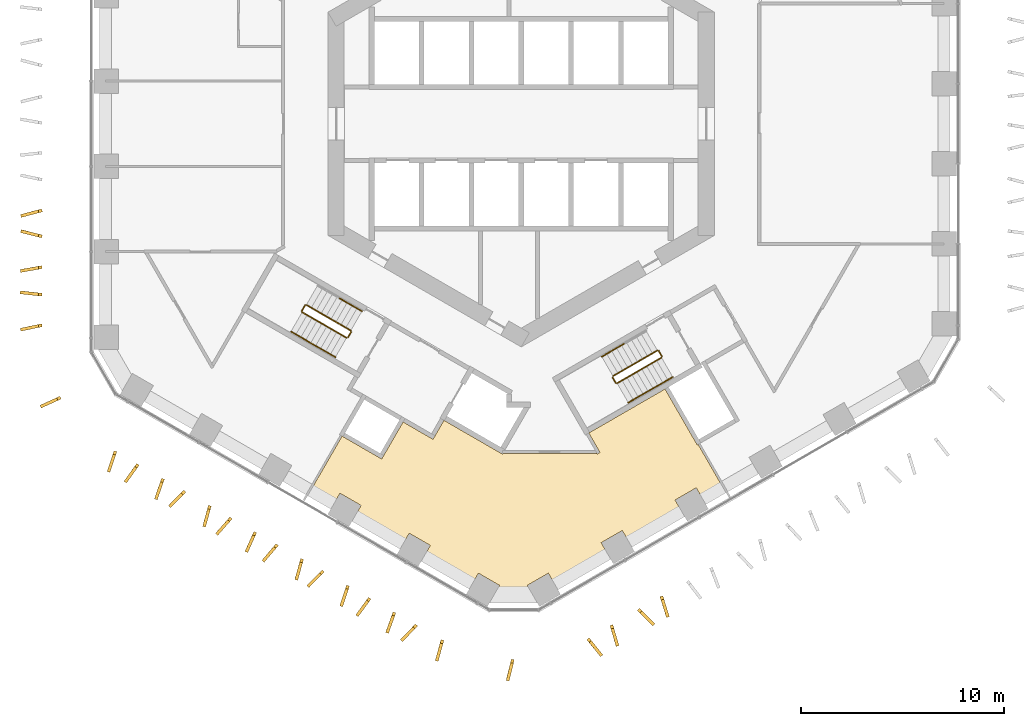
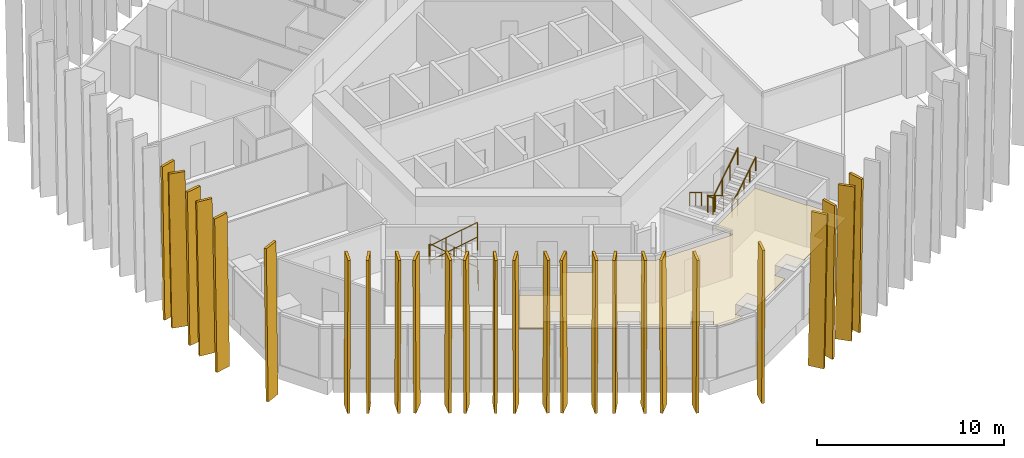
# One storey, part 17 of 19: 26 shading devices, 14 railings, 1 covering.
"""IFC4 building model written with IfcOpenShell, lengths in metres."""

from ifc_helpers import new_model, si_unit, direction, frame, origin, origin_2d, place, context, subcontext, project, spatial, polyline, circle, outline, extrude, material, layer, layer_set, type_object, element, save


model = new_model("IFC4")

# Units and contexts
model_context = context("Model", 3, precision=1e-05, world=origin(), true_north=direction((0.0, 1.0)))
body_context = subcontext(model_context, "Body", "Model", "MODEL_VIEW")
ifc_project = project(units=[si_unit("LENGTHUNIT", "METRE"), si_unit("AREAUNIT", "SQUARE_METRE"), si_unit("VOLUMEUNIT", "CUBIC_METRE"), si_unit("PLANEANGLEUNIT", "RADIAN"), si_unit("MASSUNIT", "GRAM", prefix="KILO")], contexts=[model_context])

# Site, building, storey
site_placement = place(None, origin())
site = spatial("IfcSite", under=ifc_project, at=site_placement, CompositionType="ELEMENT")
building_placement = place(site_placement, origin())
building = spatial("IfcBuilding", under=site, at=building_placement, Name="Ayvan Gate Tower", CompositionType="ELEMENT")
storey_placement = place(building_placement, frame((0.0, 0.0, 45.89990234375)))
storey = spatial("IfcBuildingStorey", under=building, at=storey_placement, Name="L11", CompositionType="ELEMENT", Elevation=45.89990234375)

# Shading devices
ifc_material_1 = material(Name="Bronze anodised aluminium", Category="aluminium")
ifc_layer_1 = layer(ifc_material_1, 0.14990234375)
ifc_layer_set_1 = layer_set([ifc_layer_1], Name="Bronze anodised aluminium")
shading_device_type = type_object("IfcShadingDeviceType", Name="Bronze fin 900 x 150", PredefinedType="USERDEFINED", material=ifc_layer_set_1)
shading_device_1_placement = place(storey_placement, frame((-23.574951171875, -4.183837890625, 0.0), z_axis=(-0.255501146153, 0.96680874253, 0.000140290366), x_axis=(-0.966808752045, -0.255501148667, -4.86e-09)))
element("IfcShadingDevice", 1, at=shading_device_1_placement, inside=storey, type_object=shading_device_type, Name="Bronze fin FG03.3.27", ObjectType="FIN", PredefinedType="USERDEFINED", context=body_context, shape_type="SweptSolid", body=[
    extrude(outline(polyline([(0.0, 0.0), (0.900233223408925, 0.0), (1.0753604628705822, 10.080078229421687), (0.1753632767546369, 10.080078220671773), (0.0, 0.0)])), origin(), (0.0, 0.0, -1.0), 0.14990234375),
])
shading_device_2_placement = place(storey_placement, frame((-23.538330078125, -5.46484375, 0.0), z_axis=(0.244418128609, 0.969669923099, 0.000136547127), x_axis=(-0.969669932138, 0.244418130888, -4.527e-09)))
element("IfcShadingDevice", 2, at=shading_device_2_placement, inside=storey, type_object=shading_device_type, Name="Bronze fin FG03.3.28", ObjectType="FIN", PredefinedType="USERDEFINED", context=body_context, shape_type="SweptSolid", body=[
    extrude(outline(polyline([(0.0, 0.0), (0.8998586604962392, -1.0164395367051604e-20), (1.0752445266961927, 10.080078223840218), (0.17514913037667781, 10.080078215691053), (0.0, 0.0)])), origin(), (0.0, 0.0, -1.0), 0.14990234375),
])
shading_device_3_placement = place(storey_placement, frame((-23.5732421875, -6.9736328125, 0.0), z_axis=(-0.175232000418, 0.984527160244, 0.000129502076), x_axis=(-0.9845271685, -0.175232001888, 3.078e-09)))
element("IfcShadingDevice", 3, at=shading_device_3_placement, inside=storey, type_object=shading_device_type, Name="Bronze fin FG03.3.29", ObjectType="FIN", PredefinedType="USERDEFINED", context=body_context, shape_type="SweptSolid", body=[
    extrude(outline(polyline([(0.0, 0.0), (0.8999142987562473, -3.3881317890172014e-21), (1.07521500683769, 10.080078206215681), (0.17506034500319578, 10.080078211756682), (0.0, 0.0)])), origin(), (0.0, 0.0, -1.0), 0.14990234375),
])
shading_device_4_placement = place(storey_placement, frame((-23.553955078125, -8.329345703125, 0.0), z_axis=(0.110952561472, 0.993825694257, 0.000136154603), x_axis=(-0.993825703469, 0.1109525625, 2.049e-09)))
element("IfcShadingDevice", 4, at=shading_device_4_placement, inside=storey, type_object=shading_device_type, Name="Bronze fin FG03.3.30", ObjectType="FIN", PredefinedType="USERDEFINED", context=body_context, shape_type="SweptSolid", body=[
    extrude(outline(polyline([(0.0, 0.0), (0.9000871522390452, 3.3881317890172014e-21), (1.0750891787986268, 10.080078216230008), (0.1752446597879675, 10.080078219917672), (0.0, 0.0)])), origin(), (0.0, 0.0, -1.0), 0.14990234375),
])
shading_device_5_placement = place(storey_placement, frame((-23.57421875, -9.828857421875, 0.0), z_axis=(-0.20617454048, 0.978515220411, 0.000149268336), x_axis=(-0.978515231313, -0.206174542777, 0.0)))
element("IfcShadingDevice", 5, at=shading_device_5_placement, inside=storey, type_object=shading_device_type, Name="Bronze fin FG03.3.31", ObjectType="FIN", PredefinedType="USERDEFINED", context=body_context, shape_type="SweptSolid", body=[
    extrude(outline(polyline([(0.0, 0.0), (0.8999504618786536, 0.0), (1.0751677608868988, 10.080078237297295), (0.17521729900824512, 10.080078237297295), (0.0, 0.0)])), origin(), (0.0, 0.0, -1.0), 0.14990234375),
])
shading_device_6_placement = place(storey_placement, frame((-22.67529296875, -13.390380859375, 0.0), z_axis=(-0.413700743643, 0.91041291519, 0.000136250636), x_axis=(-0.910412923641, -0.413700747483, 0.0)))
element("IfcShadingDevice", 6, at=shading_device_6_placement, inside=storey, type_object=shading_device_type, Name="Bronze fin FG03.4.32", ObjectType="FIN", PredefinedType="USERDEFINED", context=body_context, shape_type="SweptSolid", body=[
    extrude(outline(polyline([(0.0, 0.0), (0.8999607938598058, -6.776263578034403e-21), (1.0751601197948546, 10.080078218564477), (0.17519932593504892, 10.080078218564477), (0.0, 0.0)])), origin(), (0.0, 0.0, -1.0), 0.14990234375),
])
shading_device_7_placement = place(storey_placement, frame((-20.01904296875, -16.073974609375, 0.0), z_axis=(-0.947838977223, 0.318749512947, 0.000145782695), x_axis=(-0.318749516334, -0.947838987295, 0.0)))
element("IfcShadingDevice", 7, at=shading_device_7_placement, inside=storey, type_object=shading_device_type, Name="Bronze fin FG03.5.33", ObjectType="FIN", PredefinedType="USERDEFINED", context=body_context, shape_type="SweptSolid", body=[
    extrude(outline(polyline([(0.0, 0.0), (0.8999707283452081, 0.0), (1.0751434166942866, 10.080078232113909), (0.17517268834907843, 10.080078232113909), (0.0, 0.0)])), origin(), (0.0, 0.0, -1.0), 0.14990234375),
])
shading_device_8_placement = place(storey_placement, frame((-18.900634765625, -16.697998046875, 0.0), z_axis=(-0.812200130264, 0.58337888448, 0.000159820077), x_axis=(-0.583378891928, -0.812200140638, 1.7608e-08)))
element("IfcShadingDevice", 8, at=shading_device_8_placement, inside=storey, type_object=shading_device_type, Name="Bronze fin FG03.5.34", ObjectType="FIN", PredefinedType="USERDEFINED", context=body_context, shape_type="SweptSolid", body=[
    extrude(outline(polyline([(0.0, 0.0), (0.8999003512490823, -1.3552527156068805e-20), (1.0752619408027846, 10.080078234801771), (0.1752191630664151, 10.080078266495171), (0.0, 0.0)])), origin(), (0.0, 0.0, -1.0), 0.14990234375),
])
shading_device_9_placement = place(storey_placement, frame((-17.680419921875, -17.423828125, 0.0), z_axis=(-0.943942891356, 0.330108764017, 0.000147574183), x_axis=(-0.330108767612, -0.943942901634, 0.0)))
element("IfcShadingDevice", 9, at=shading_device_9_placement, inside=storey, type_object=shading_device_type, Name="Bronze fin FG03.5.35", ObjectType="FIN", PredefinedType="USERDEFINED", context=body_context, shape_type="SweptSolid", body=[
    extrude(outline(polyline([(0.0, 0.0), (0.9000643720388166, 0.0), (1.0751601619626519, 10.080078234762675), (0.1750957899238352, 10.080078234762675), (0.0, 0.0)])), origin(), (0.0, 0.0, -1.0), 0.14990234375),
])
shading_device_10_placement = place(storey_placement, frame((-16.59765625, -18.00732421875, 0.0), z_axis=(-0.714191134507, 0.699950711203, 0.000158991191), x_axis=(-0.699950720051, -0.714191143532, -1.5399e-08)))
element("IfcShadingDevice", 10, at=shading_device_10_placement, inside=storey, type_object=shading_device_type, Name="Bronze fin FG03.5.36", ObjectType="FIN", PredefinedType="USERDEFINED", context=body_context, shape_type="SweptSolid", body=[
    extrude(outline(polyline([(0.0, 0.0), (0.9001557835381796, 0.0), (1.0752318805343108, 10.08007826896013), (0.17524698340239367, 10.080078241240567), (0.0, 0.0)])), origin(), (0.0, 0.0, -1.0), 0.14990234375),
])
shading_device_11_placement = place(storey_placement, frame((-15.3798828125, -18.753662109375, 0.0), z_axis=(-0.964239184036, 0.265033530118, 0.000154542319), x_axis=(-0.265033533282, -0.964239195551, 5.555e-09)))
element("IfcShadingDevice", 11, at=shading_device_11_placement, inside=storey, type_object=shading_device_type, Name="Bronze fin FG03.5.37", ObjectType="FIN", PredefinedType="USERDEFINED", context=body_context, shape_type="SweptSolid", body=[
    extrude(outline(polyline([(0.0, 0.0), (0.9000996343258985, 6.776263578034403e-21), (1.075144595748423, 10.080078239400706), (0.17528037138237573, 10.08007824939913), (0.0, 0.0)])), origin(), (0.0, 0.0, -1.0), 0.14990234375),
])
shading_device_12_placement = place(storey_placement, frame((-14.32275390625, -19.32861328125, 0.0), z_axis=(-0.750700056269, 0.660643175083, 0.000143994528), x_axis=(-0.660643181929, -0.750700064054, 2.7563e-08)))
element("IfcShadingDevice", 12, at=shading_device_12_placement, inside=storey, type_object=shading_device_type, Name="Bronze fin FG03.5.38", ObjectType="FIN", PredefinedType="USERDEFINED", context=body_context, shape_type="SweptSolid", body=[
    extrude(outline(polyline([(0.0, 0.0), (0.9000497864498709, 0.0), (1.0751920882647426, 10.080078199867089), (0.1751642883583591, 10.080078249482133), (0.0, 0.0)])), origin(), (0.0, 0.0, -1.0), 0.14990234375),
])
shading_device_13_placement = place(storey_placement, frame((-13.141845703125, -20.0400390625, 0.0), z_axis=(-0.912058453703, 0.410060179006, 0.000163163702), x_axis=(-0.410060184465, -0.912058465843, 0.0)))
element("IfcShadingDevice", 13, at=shading_device_13_placement, inside=storey, type_object=shading_device_type, Name="Bronze fin FG03.5.39", ObjectType="FIN", PredefinedType="USERDEFINED", context=body_context, shape_type="SweptSolid", body=[
    extrude(outline(polyline([(0.0, 0.0), (0.9002108446148134, -6.776263578034403e-21), (1.075337735529121, 10.080078259177908), (0.1751268909143076, 10.080078259177908), (0.0, 0.0)])), origin(), (0.0, 0.0, -1.0), 0.14990234375),
])
shading_device_14_placement = place(storey_placement, frame((-12.052490234375, -20.6416015625, 0.0), z_axis=(-0.760843793437, 0.648935052202, 0.000141465375), x_axis=(-0.648935058697, -0.760843801049, -1.2454e-08)))
element("IfcShadingDevice", 14, at=shading_device_14_placement, inside=storey, type_object=shading_device_type, Name="Bronze fin FG03.5.40", ObjectType="FIN", PredefinedType="USERDEFINED", context=body_context, shape_type="SweptSolid", body=[
    extrude(outline(polyline([(0.0, 0.0), (0.8998190133162116, -1.3552527156068805e-20), (1.075019852778686, 10.080078239251762), (0.17501508658135917, 10.080078216836888), (0.0, 0.0)])), origin(), (0.0, 0.0, -1.0), 0.14990234375),
])
shading_device_15_placement = place(storey_placement, frame((-10.844482421875, -21.3720703125, 0.0), z_axis=(-0.962652032957, 0.270741645453, 0.000157673108), x_axis=(-0.270741648818, -0.962652044923, 5.79e-09)))
element("IfcShadingDevice", 15, at=shading_device_15_placement, inside=storey, type_object=shading_device_type, Name="Bronze fin FG03.5.41", ObjectType="FIN", PredefinedType="USERDEFINED", context=body_context, shape_type="SweptSolid", body=[
    extrude(outline(polyline([(0.0, 0.0), (0.9000615900765889, 0.0), (1.0751238176417501, 10.080078244074887), (0.17529725003706623, 10.080078254495566), (0.0, 0.0)])), origin(), (0.0, 0.0, -1.0), 0.14990234375),
])
shading_device_16_placement = place(storey_placement, frame((-9.79296875, -21.935302734375, 0.0), z_axis=(-0.710354055494, 0.703844510884, 0.000142624898), x_axis=(-0.703844518043, -0.710354062719, 0.0)))
element("IfcShadingDevice", 16, at=shading_device_16_placement, inside=storey, type_object=shading_device_type, Name="Bronze fin FG03.5.42", ObjectType="FIN", PredefinedType="USERDEFINED", context=body_context, shape_type="SweptSolid", body=[
    extrude(outline(polyline([(0.0, 0.0), (0.900120560200584, 1.3552527156068805e-20), (1.075352027919554, 10.080078227523776), (0.1752314677189702, 10.080078227523776), (0.0, 0.0)])), origin(), (0.0, 0.0, -1.0), 0.14990234375),
])
shading_device_17_placement = place(storey_placement, frame((-8.585205078125, -22.67529296875, 0.0), z_axis=(-0.949156934095, 0.314803264366, 0.000138575993), x_axis=(-0.314803267391, -0.949156943208, -1.7839e-08)))
element("IfcShadingDevice", 17, at=shading_device_17_placement, inside=storey, type_object=shading_device_type, Name="Bronze fin FG03.5.43", ObjectType="FIN", PredefinedType="USERDEFINED", context=body_context, shape_type="SweptSolid", body=[
    extrude(outline(polyline([(0.0, 0.0), (0.900045590265072, 0.0), (1.0752238555235294, 10.08007824096638), (0.17525512152491013, 10.080078208855845), (0.0, 0.0)])), origin(), (0.0, 0.0, -1.0), 0.14990234375),
])
shading_device_18_placement = place(storey_placement, frame((-7.505126953125, -23.276123046875, 0.0), z_axis=(-0.807232050637, 0.590234187563, 0.000142324698), x_axis=(-0.590234193541, -0.807232058813, 0.0)))
element("IfcShadingDevice", 18, at=shading_device_18_placement, inside=storey, type_object=shading_device_type, Name="Bronze fin FG03.5.44", ObjectType="FIN", PredefinedType="USERDEFINED", context=body_context, shape_type="SweptSolid", body=[
    extrude(outline(polyline([(0.0, 0.0), (0.9000664580497653, 0.0), (1.0753409740120434, 10.080078227092645), (0.17527451596227808, 10.080078227092645), (0.0, 0.0)])), origin(), (0.0, 0.0, -1.0), 0.14990234375),
])
shading_device_19_placement = place(storey_placement, frame((-6.303466796875, -23.991943359375, 0.0), z_axis=(-0.941046373379, 0.338277551918, 0.000144979465), x_axis=(-0.338277555473, -0.941046383269, 0.0)))
element("IfcShadingDevice", 19, at=shading_device_19_placement, inside=storey, type_object=shading_device_type, Name="Bronze fin FG03.5.45", ObjectType="FIN", PredefinedType="USERDEFINED", context=body_context, shape_type="SweptSolid", body=[
    extrude(outline(polyline([(0.0, 0.0), (0.899980960750526, -6.776263578034403e-21), (1.075093309900929, 10.080078230936811), (0.17511234915040286, 10.080078230936811), (0.0, 0.0)])), origin(), (0.0, 0.0, -1.0), 0.14990234375),
])
shading_device_20_placement = place(storey_placement, frame((-5.200439453125, -24.588134765625, 0.0), z_axis=(-0.716403385557, 0.697686295968, 0.000146905204), x_axis=(-0.697686303497, -0.716403393287, 0.0)))
element("IfcShadingDevice", 20, at=shading_device_20_placement, inside=storey, type_object=shading_device_type, Name="Bronze fin FG03.5.46", ObjectType="FIN", PredefinedType="USERDEFINED", context=body_context, shape_type="SweptSolid", body=[
    extrude(outline(polyline([(0.0, 0.0), (0.9000172202794061, 0.0), (1.0751025142874684, 10.080078233769784), (0.1750852940080625, 10.080078233769784), (0.0, 0.0)])), origin(), (0.0, 0.0, -1.0), 0.14990234375),
])
shading_device_21_placement = place(storey_placement, frame((-3.946044921875, -25.35498046875, 0.0), z_axis=(-0.964578911885, 0.263794429642, 0.000147091258), x_axis=(-0.263794432493, -0.964578922321, 1.9244e-08)))
element("IfcShadingDevice", 21, at=shading_device_21_placement, inside=storey, type_object=shading_device_type, Name="Bronze fin FG03.5.47", ObjectType="FIN", PredefinedType="USERDEFINED", context=body_context, shape_type="SweptSolid", body=[
    extrude(outline(polyline([(0.0, 0.0), (0.9000124111709517, -6.776263578034403e-21), (1.0752948189343543, 10.080078213352936), (0.17521800482578218, 10.080078247993121), (0.0, 0.0)])), origin(), (0.0, 0.0, -1.0), 0.14990234375),
])
shading_device_22_placement = place(storey_placement, frame((-0.485595703125, -26.31591796875, 0.0), z_axis=(-0.97058763231, 0.240748050217, 0.000155960528), x_axis=(-0.240748053148, -0.970587644113, -2.0531e-08)))
element("IfcShadingDevice", 22, at=shading_device_22_placement, inside=storey, type_object=shading_device_type, Name="Bronze fin FG03.6.48", ObjectType="FIN", PredefinedType="USERDEFINED", context=body_context, shape_type="SweptSolid", body=[
    extrude(outline(polyline([(0.0, 0.0), (0.9000358549396699, -6.776263578034403e-21), (1.0751905191852889, 10.080078269666542), (0.17521344062578206, 10.080078232711362), (0.0, 0.0)])), origin(), (0.0, 0.0, -1.0), 0.14990234375),
])
shading_device_23_placement = place(storey_placement, frame((3.2197265625, -25.360107421875, 0.0), z_axis=(-0.778534859409, -0.627601346341, 0.000150852899), x_axis=(0.62760135348, -0.778534868268, -1.2838e-08)))
element("IfcShadingDevice", 23, at=shading_device_23_placement, inside=storey, type_object=shading_device_type, Name="Bronze fin FG03.7.49", ObjectType="FIN", PredefinedType="USERDEFINED", context=body_context, shape_type="SweptSolid", body=[
    extrude(outline(polyline([(0.0, 0.0), (0.900254672546873, 1.3552527156068805e-20), (1.0752708841722158, 10.080078253497986), (0.17520628361466642, 10.080078230386293), (0.0, 0.0)])), origin(), (0.0, 0.0, -1.0), 0.14990234375),
])
shading_device_24_placement = place(storey_placement, frame((4.358154296875, -24.6650390625, 0.0), z_axis=(-0.958975800013, -0.283487895619, 0.000167414784), x_axis=(0.283487899592, -0.958975813452, 0.0)))
element("IfcShadingDevice", 24, at=shading_device_24_placement, inside=storey, type_object=shading_device_type, Name="Bronze fin FG03.7.50", ObjectType="FIN", PredefinedType="USERDEFINED", context=body_context, shape_type="SweptSolid", body=[
    extrude(outline(polyline([(0.0, 0.0), (0.8999571180724123, 0.0), (1.0751011285563061, 10.080078266260756), (0.1751440104838939, 10.080078266260756), (0.0, 0.0)])), origin(), (0.0, 0.0, -1.0), 0.14990234375),
])
shading_device_25_placement = place(storey_placement, frame((5.70947265625, -23.92578125, 0.0), z_axis=(-0.707445766364, -0.706767616665, 0.000153904241), x_axis=(0.706767625037, -0.707445774741, 1.4766e-08)))
element("IfcShadingDevice", 25, at=shading_device_25_placement, inside=storey, type_object=shading_device_type, Name="Bronze fin FG03.7.51", ObjectType="FIN", PredefinedType="USERDEFINED", context=body_context, shape_type="SweptSolid", body=[
    extrude(outline(polyline([(0.0, 0.0), (0.900111086760785, 0.0), (1.0751609136016553, 10.080078228505329), (0.17522237753057696, 10.080078255084546), (0.0, 0.0)])), origin(), (0.0, 0.0, -1.0), 0.14990234375),
])
shading_device_26_placement = place(storey_placement, frame((6.817138671875, -23.24755859375, 0.0), z_axis=(-0.95449444644, -0.298228656965, 0.000140993952), x_axis=(0.298228659932, -0.954494455927, 1.8251e-08)))
element("IfcShadingDevice", 26, at=shading_device_26_placement, inside=storey, type_object=shading_device_type, Name="Bronze fin FG03.7.52", ObjectType="FIN", PredefinedType="USERDEFINED", context=body_context, shape_type="SweptSolid", body=[
    extrude(outline(polyline([(0.0, 0.0), (0.9001263467607211, -1.3552527156068805e-20), (1.0752319481913153, 10.080078205568645), (0.17517841116202307, 10.08007823842326), (0.0, 0.0)])), origin(), (0.0, 0.0, -1.0), 0.14990234375),
])

# Covering
ifc_material_2 = material(Name="Plasterboard suspended ceiling")
ifc_layer_2 = layer(ifc_material_2, 0.050048828125)
ifc_layer_set_2 = layer_set([ifc_layer_2], Name="Plasterboard suspended ceiling")
covering_type = type_object("IfcCoveringType", Name="CT-SUSP-50", PredefinedType="CEILING", material=ifc_layer_set_2)
covering_placement = place(storey_placement, frame((0.0, 0.0, 2.7001953125)))
element("IfcCovering", 27, at=covering_placement, inside=storey, type_object=covering_type, Name="Ceiling Social Lounge L11", PredefinedType="CEILING", context=body_context, shape_type="SweptSolid", body=[
    extrude(outline(polyline([(-6.858154296875, -16.478515625), (-6.76806640625, -16.32275390625), (-5.80810546875, -14.659912109375), (-4.3359375, -15.510009765625), (-4.245849609375, -15.35400390625), (-4.235595703125, -15.33642578125), (-3.798583984375, -14.5791015625), (-3.775390625, -14.59228515625), (-0.9189453125, -16.24169921875), (-0.89794921875, -16.205322265625), (3.6953125, -16.205322265625), (3.6953125, -16.150390625), (3.742919921875, -16.23291015625), (3.872802734375, -16.15771484375), (3.320556640625, -15.201416015625), (3.346435546875, -15.186279296875), (7.066162109375, -13.038818359375), (8.653564453125, -15.78857421875), (8.697021484375, -15.763427734375), (9.9111328125, -17.86669921875), (8.916748046875, -18.440673828125), (8.60205078125, -17.8955078125), (7.562744140625, -18.495361328125), (7.877685546875, -19.040771484375), (6.05810546875, -20.09130859375), (5.28271484375, -20.538818359375), (4.968017578125, -19.993408203125), (3.9287109375, -20.593505859375), (4.243408203125, -21.138916015625), (1.648681640625, -22.636962890625), (1.333984375, -22.091552734375), (0.294677734375, -22.691650390625), (0.52685546875, -23.09375), (-0.356201171875, -23.330322265625), (-1.290283203125, -23.080078125), (-1.066162109375, -22.691650390625), (-2.10546875, -22.091552734375), (-2.405517578125, -22.611328125), (-4.156982421875, -21.60009765625), (-4.768798828125, -21.246826171875), (-4.46875, -20.72705078125), (-5.508056640625, -20.127197265625), (-5.80810546875, -20.646728515625), (-8.17138671875, -19.2822265625), (-7.871337890625, -18.7626953125), (-8.91064453125, -18.16259765625), (-9.210693359375, -18.682373046875), (-10.34912109375, -18.02490234375), (-8.806640625, -15.353515625), (-8.763427734375, -15.378662109375), (-6.858154296875, -16.478515625)])), origin(), (0.0, 0.0, 1.0), 0.0498046875),
])

# Railings
ifc_material_3 = material(Name="Stainless steel balustrade", Category="steel")
railing_type_1 = type_object("IfcRailingType", Name="RL-GUARD-1100", PredefinedType="GUARDRAIL", material=ifc_material_3)
railing_1_placement = place(storey_placement, frame((-8.381103515625, -10.16650390625, 0.170166015625)))
element("IfcRailing", 28, at=railing_1_placement, inside=storey, type_object=railing_type_1, Name="L11 STS2 stair guard 1", PredefinedType="GUARDRAIL", context=body_context, shape_type="SweptSolid", body=[
    extrude(circle(Radius=0.02392578125, at=origin_2d()), frame((0.0, 0.0, 1.076171875), z_axis=(-0.740261155115, 0.427395438142, 0.518986090067), x_axis=(-0.500004791531, -0.866022637375, 0.0)), (0.0, 0.0, 1.0), 2.947998046875),
    extrude(circle(Radius=0.02099609375, at=origin_2d()), origin(), (0.0, 0.0, 1.0), 1.052001953125),
    extrude(circle(Radius=0.02099609375, at=origin_2d()), frame((-0.7275390625, 0.419921875, 0.510009765625)), (0.0, 0.0, 1.0), 1.052001953125),
    extrude(circle(Radius=0.02099609375, at=origin_2d()), frame((-1.454833984375, 0.840087890625, 1.02001953125)), (0.0, 0.0, 1.0), 1.052001953125),
    extrude(circle(Radius=0.02099609375, at=origin_2d()), frame((-2.182373046875, 1.260009765625, 1.530029296875)), (0.0, 0.0, 1.0), 1.052001953125),
])
railing_2_placement = place(storey_placement, frame((-10.6318359375, -8.9248046875, 1.7001953125)))
element("IfcRailing", 29, at=railing_2_placement, inside=storey, type_object=railing_type_1, Name="L11 STS2 stair guard 2", PredefinedType="GUARDRAIL", context=body_context, shape_type="SweptSolid", body=[
    extrude(circle(Radius=0.02392578125, at=origin_2d()), frame((0.0, 0.0, 1.076171875), z_axis=(-0.499949632511, -0.866054481515, 0.0), x_axis=(0.866054481515, -0.499949632511, 0.0)), (0.0, 0.0, 1.0), 0.31005859375),
    extrude(circle(Radius=0.02099609375, at=origin_2d()), origin(), (0.0, 0.0, 1.0), 1.052001953125),
    extrude(circle(Radius=0.02099609375, at=origin_2d()), frame((-0.155029296875, -0.2685546875, 0.0)), (0.0, 0.0, 1.0), 1.052001953125),
])
railing_3_placement = place(storey_placement, frame((-10.7685546875, -9.261474609375, 1.8701171875)))
element("IfcRailing", 30, at=railing_3_placement, inside=storey, type_object=railing_type_1, Name="L11 STS2 stair guard 3", PredefinedType="GUARDRAIL", context=body_context, shape_type="SweptSolid", body=[
    extrude(circle(Radius=0.02392578125, at=origin_2d()), frame((0.0, 0.0, 1.076171875), z_axis=(0.740261155115, -0.427395438142, 0.518986090067), x_axis=(0.500004791531, 0.866022637375, 0.0)), (0.0, 0.0, 1.0), 2.947998046875),
    extrude(circle(Radius=0.02099609375, at=origin_2d()), origin(), (0.0, 0.0, 1.0), 1.052001953125),
    extrude(circle(Radius=0.02099609375, at=origin_2d()), frame((0.7275390625, -0.419921875, 0.510009765625)), (0.0, 0.0, 1.0), 1.052001953125),
    extrude(circle(Radius=0.02099609375, at=origin_2d()), frame((1.454833984375, -0.840087890625, 1.02001953125)), (0.0, 0.0, 1.0), 1.052001953125),
    extrude(circle(Radius=0.02099609375, at=origin_2d()), frame((2.182373046875, -1.260009765625, 1.530029296875)), (0.0, 0.0, 1.0), 1.052001953125),
])
railing_4_placement = place(storey_placement, frame((-8.36279296875, -10.23486328125, 0.0)))
element("IfcRailing", 31, at=railing_4_placement, inside=storey, type_object=railing_type_1, Name="L11 STS2 stair guard 4", PredefinedType="GUARDRAIL", context=body_context, shape_type="SweptSolid", body=[
    extrude(circle(Radius=0.02392578125, at=origin_2d()), frame((0.0, 0.0, 1.076171875), z_axis=(-0.500290723946, -0.86585748916, 0.0), x_axis=(0.86585748916, -0.500290723946, 0.0)), (0.0, 0.0, 1.0), 0.309814453125),
    extrude(circle(Radius=0.02099609375, at=origin_2d()), origin(), (0.0, 0.0, 1.0), 1.052001953125),
    extrude(circle(Radius=0.02099609375, at=origin_2d()), frame((-0.155029296875, -0.268310546875, 0.0)), (0.0, 0.0, 1.0), 1.052001953125),
])
railing_5_placement = place(storey_placement, frame((6.6923828125, -11.1416015625, 0.170166015625)))
element("IfcRailing", 32, at=railing_5_placement, inside=storey, type_object=railing_type_1, Name="L11 STS3 stair guard 1", PredefinedType="GUARDRAIL", context=body_context, shape_type="SweptSolid", body=[
    extrude(circle(Radius=0.02392578125, at=origin_2d()), frame((0.0, 0.0, 1.076171875), z_axis=(-0.740261155115, -0.427395438142, 0.518986090067), x_axis=(0.500004791531, -0.866022637375, 0.0)), (0.0, 0.0, 1.0), 2.947998046875),
    extrude(circle(Radius=0.02099609375, at=origin_2d()), origin(), (0.0, 0.0, 1.0), 1.052001953125),
    extrude(circle(Radius=0.02099609375, at=origin_2d()), frame((-0.7275390625, -0.419921875, 0.510009765625)), (0.0, 0.0, 1.0), 1.052001953125),
    extrude(circle(Radius=0.02099609375, at=origin_2d()), frame((-1.454833984375, -0.840087890625, 1.02001953125)), (0.0, 0.0, 1.0), 1.052001953125),
    extrude(circle(Radius=0.02099609375, at=origin_2d()), frame((-2.182373046875, -1.260009765625, 1.530029296875)), (0.0, 0.0, 1.0), 1.052001953125),
])
railing_6_placement = place(storey_placement, frame((4.49169921875, -12.4697265625, 1.7001953125)))
element("IfcRailing", 33, at=railing_6_placement, inside=storey, type_object=railing_type_1, Name="L11 STS3 stair guard 2", PredefinedType="GUARDRAIL", context=body_context, shape_type="SweptSolid", body=[
    extrude(circle(Radius=0.02392578125, at=origin_2d()), frame((0.0, 0.0, 1.076171875), z_axis=(0.499949632511, -0.866054481515, 0.0), x_axis=(0.866054481515, 0.499949632511, 0.0)), (0.0, 0.0, 1.0), 0.31005859375),
    extrude(circle(Radius=0.02099609375, at=origin_2d()), origin(), (0.0, 0.0, 1.0), 1.052001953125),
    extrude(circle(Radius=0.02099609375, at=origin_2d()), frame((0.155029296875, -0.2685546875, 0.0)), (0.0, 0.0, 1.0), 1.052001953125),
])
railing_7_placement = place(storey_placement, frame((4.715087890625, -12.756591796875, 1.8701171875)))
element("IfcRailing", 34, at=railing_7_placement, inside=storey, type_object=railing_type_1, Name="L11 STS3 stair guard 3", PredefinedType="GUARDRAIL", context=body_context, shape_type="SweptSolid", body=[
    extrude(circle(Radius=0.02392578125, at=origin_2d()), frame((0.0, 0.0, 1.076171875), z_axis=(0.740261155115, 0.427395438142, 0.518986090067), x_axis=(-0.500004791531, 0.866022637375, 0.0)), (0.0, 0.0, 1.0), 2.947998046875),
    extrude(circle(Radius=0.02099609375, at=origin_2d()), origin(), (0.0, 0.0, 1.0), 1.052001953125),
    extrude(circle(Radius=0.02099609375, at=origin_2d()), frame((0.7275390625, 0.419921875, 0.510009765625)), (0.0, 0.0, 1.0), 1.052001953125),
    extrude(circle(Radius=0.02099609375, at=origin_2d()), frame((1.454833984375, 0.840087890625, 1.02001953125)), (0.0, 0.0, 1.0), 1.052001953125),
    extrude(circle(Radius=0.02099609375, at=origin_2d()), frame((2.182373046875, 1.260009765625, 1.530029296875)), (0.0, 0.0, 1.0), 1.052001953125),
])
railing_8_placement = place(storey_placement, frame((6.7607421875, -11.159912109375, 0.0)))
element("IfcRailing", 35, at=railing_8_placement, inside=storey, type_object=railing_type_1, Name="L11 STS3 stair guard 4", PredefinedType="GUARDRAIL", context=body_context, shape_type="SweptSolid", body=[
    extrude(circle(Radius=0.02392578125, at=origin_2d()), frame((0.0, 0.0, 1.076171875), z_axis=(0.500290723946, -0.86585748916, 0.0), x_axis=(0.86585748916, 0.500290723946, 0.0)), (0.0, 0.0, 1.0), 0.309814453125),
    extrude(circle(Radius=0.02099609375, at=origin_2d()), origin(), (0.0, 0.0, 1.0), 1.052001953125),
    extrude(circle(Radius=0.02099609375, at=origin_2d()), frame((0.155029296875, -0.268310546875, 0.0)), (0.0, 0.0, 1.0), 1.052001953125),
])
railing_type_2 = type_object("IfcRailingType", Name="RL-HANDRAIL-900", PredefinedType="HANDRAIL", material=ifc_material_3)
railing_9_placement = place(storey_placement, frame((-7.8310546875, -9.2138671875, 0.170166015625)))
element("IfcRailing", 36, at=railing_9_placement, inside=storey, type_object=railing_type_2, Name="L11 STS2 stair handrail 1", PredefinedType="HANDRAIL", context=body_context, shape_type="SweptSolid", body=[
    extrude(circle(Radius=0.02392578125, at=origin_2d()), frame((0.0, 0.0, 0.8759765625), z_axis=(-0.740356597536, 0.427319915356, 0.518912129772), x_axis=(-0.499890179513, -0.866088799389, 0.0)), (0.0, 0.0, 1.0), 1.47412109375),
    extrude(circle(Radius=0.02099609375, at=origin_2d()), origin(), (0.0, 0.0, 1.0), 0.851806640625),
    extrude(circle(Radius=0.02099609375, at=origin_2d()), frame((-0.545654296875, 0.31494140625, 0.38232421875)), (0.0, 0.0, 1.0), 0.851806640625),
    extrude(circle(Radius=0.02099609375, at=origin_2d()), frame((-1.09130859375, 0.6298828125, 0.764892578125)), (0.0, 0.0, 1.0), 0.851806640625),
])
railing_10_placement = place(storey_placement, frame((-11.318603515625, -10.214111328125, 1.8701171875)))
element("IfcRailing", 37, at=railing_10_placement, inside=storey, type_object=railing_type_2, Name="L11 STS2 stair handrail 3", PredefinedType="HANDRAIL", context=body_context, shape_type="SweptSolid", body=[
    extrude(circle(Radius=0.02392578125, at=origin_2d()), frame((0.0, 0.0, 0.8759765625), z_axis=(0.740304193401, -0.427455284825, 0.518875399983), x_axis=(0.500035496587, 0.86600490885, 0.0)), (0.0, 0.0, 1.0), 1.47412109375),
    extrude(circle(Radius=0.02099609375, at=origin_2d()), origin(), (0.0, 0.0, 1.0), 0.851806640625),
    extrude(circle(Radius=0.02099609375, at=origin_2d()), frame((0.545654296875, -0.31494140625, 0.38232421875)), (0.0, 0.0, 1.0), 0.851806640625),
    extrude(circle(Radius=0.02099609375, at=origin_2d()), frame((1.09130859375, -0.630126953125, 0.764892578125)), (0.0, 0.0, 1.0), 0.851806640625),
])
railing_11_placement = place(storey_placement, frame((-10.227294921875, -10.84423828125, 2.635009765625)))
element("IfcRailing", 38, at=railing_11_placement, inside=storey, type_object=railing_type_2, Name="L11 STS2 stair handrail 4", PredefinedType="HANDRAIL", context=body_context, shape_type="SweptSolid", body=[
    extrude(circle(Radius=0.02392578125, at=origin_2d()), frame((0.0, 0.0, 0.8759765625), z_axis=(0.740292964666, -0.42728318766, 0.519033143459), x_axis=(0.499890179513, 0.866088799389, 0.0)), (0.0, 0.0, 1.0), 1.47412109375),
    extrude(circle(Radius=0.02099609375, at=origin_2d()), origin(), (0.0, 0.0, 1.0), 0.851806640625),
    extrude(circle(Radius=0.02099609375, at=origin_2d()), frame((0.545654296875, -0.31494140625, 0.382568359375)), (0.0, 0.0, 1.0), 0.851806640625),
    extrude(circle(Radius=0.02099609375, at=origin_2d()), frame((1.09130859375, -0.6298828125, 0.76513671875)), (0.0, 0.0, 1.0), 0.851806640625),
])
railing_12_placement = place(storey_placement, frame((5.05126953125, -10.81884765625, 0.93505859375)))
element("IfcRailing", 39, at=railing_12_placement, inside=storey, type_object=railing_type_2, Name="L11 STS3 stair handrail 2", PredefinedType="HANDRAIL", context=body_context, shape_type="SweptSolid", body=[
    extrude(circle(Radius=0.02392578125, at=origin_2d()), frame((0.0, 0.0, 0.8759765625), z_axis=(-0.740240574041, -0.427418550694, 0.518996411419), x_axis=(0.500035496587, -0.86600490885, 0.0)), (0.0, 0.0, 1.0), 1.474365234375),
    extrude(circle(Radius=0.02099609375, at=origin_2d()), origin(), (0.0, 0.0, 1.0), 0.851806640625),
    extrude(circle(Radius=0.02099609375, at=origin_2d()), frame((-0.545654296875, -0.31494140625, 0.382568359375)), (0.0, 0.0, 1.0), 0.851806640625),
    extrude(circle(Radius=0.02099609375, at=origin_2d()), frame((-1.09130859375, -0.630126953125, 0.76513671875)), (0.0, 0.0, 1.0), 0.851806640625),
])
railing_13_placement = place(storey_placement, frame((5.264892578125, -13.709228515625, 1.8701171875)))
element("IfcRailing", 40, at=railing_13_placement, inside=storey, type_object=railing_type_2, Name="L11 STS3 stair handrail 3", PredefinedType="HANDRAIL", context=body_context, shape_type="SweptSolid", body=[
    extrude(circle(Radius=0.02392578125, at=origin_2d()), frame((0.0, 0.0, 0.8759765625), z_axis=(0.740304193401, 0.427455284825, 0.518875399983), x_axis=(-0.500035496587, 0.86600490885, 0.0)), (0.0, 0.0, 1.0), 1.47412109375),
    extrude(circle(Radius=0.02099609375, at=origin_2d()), origin(), (0.0, 0.0, 1.0), 0.851806640625),
    extrude(circle(Radius=0.02099609375, at=origin_2d()), frame((0.545654296875, 0.31494140625, 0.38232421875)), (0.0, 0.0, 1.0), 0.851806640625),
    extrude(circle(Radius=0.02099609375, at=origin_2d()), frame((1.09130859375, 0.630126953125, 0.764892578125)), (0.0, 0.0, 1.0), 0.851806640625),
])
railing_14_placement = place(storey_placement, frame((6.356201171875, -13.0791015625, 2.635009765625)))
element("IfcRailing", 41, at=railing_14_placement, inside=storey, type_object=railing_type_2, Name="L11 STS3 stair handrail 4", PredefinedType="HANDRAIL", context=body_context, shape_type="SweptSolid", body=[
    extrude(circle(Radius=0.02392578125, at=origin_2d()), frame((0.0, 0.0, 0.8759765625), z_axis=(0.740218099111, 0.427335577468, 0.519096782863), x_axis=(-0.499974077718, 0.866040369504, 0.0)), (0.0, 0.0, 1.0), 1.473876953125),
    extrude(circle(Radius=0.02099609375, at=origin_2d()), origin(), (0.0, 0.0, 1.0), 0.851806640625),
    extrude(circle(Radius=0.02099609375, at=origin_2d()), frame((0.54541015625, 0.31494140625, 0.382568359375)), (0.0, 0.0, 1.0), 0.851806640625),
    extrude(circle(Radius=0.02099609375, at=origin_2d()), frame((1.091064453125, 0.6298828125, 0.76513671875)), (0.0, 0.0, 1.0), 0.851806640625),
])

save(model, "model.ifc")
